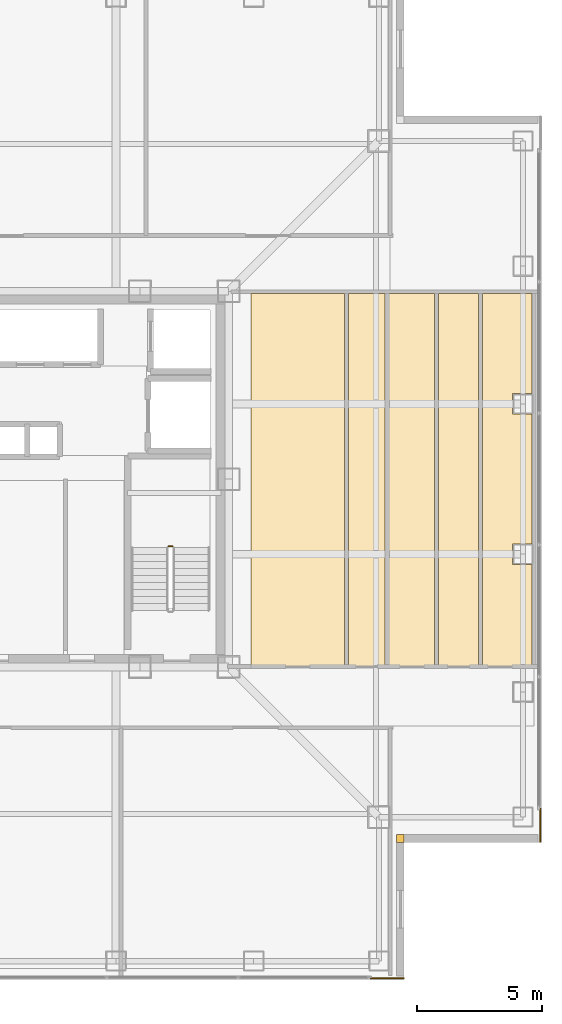
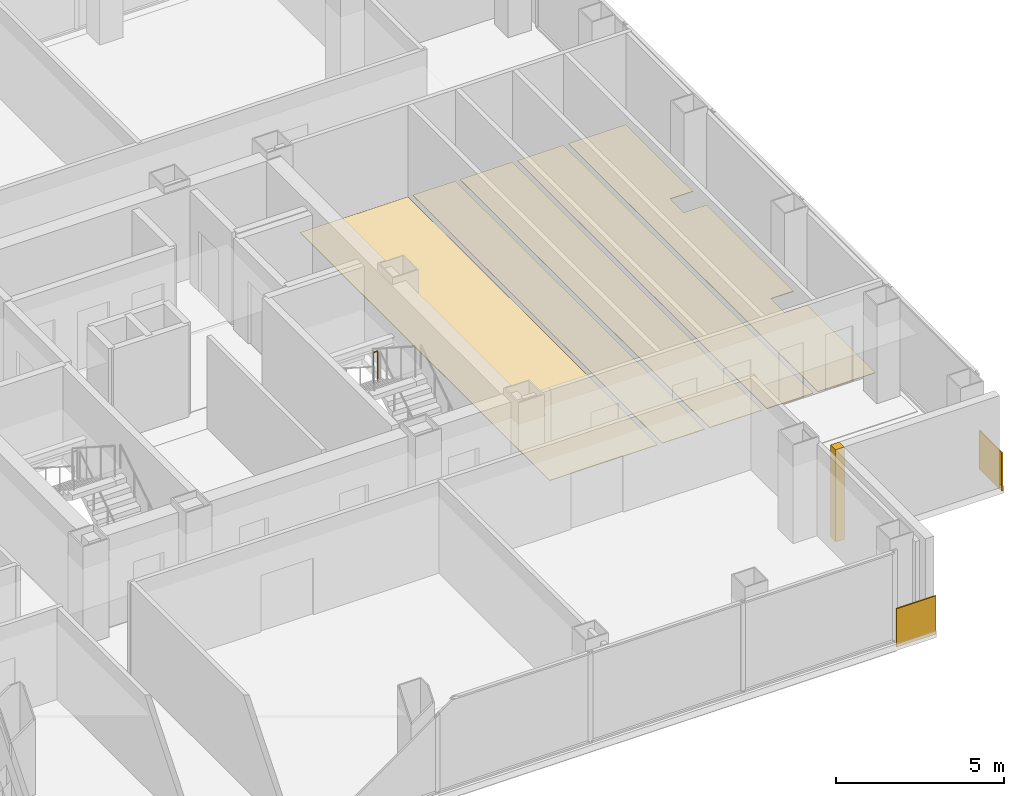
# One storey, part 17 of 18: 8 coverings, 1 railing.
"""IFC4 building model written with IfcOpenShell, lengths in metres."""

import ifcopenshell
import ifcopenshell.guid

model = None  # the IFC model being written
_history = None  # IfcOwnerHistory: only IFC2X3 demands one
_inside = {}  # id of a spatial element -> (the spatial element, [elements in it])
_under = {}  # id of a project, library or spatial element -> (it, [spatial elements below it])
_declared = {}  # id of a project -> (the project, [libraries it declares])
_typed = {}  # id of a type object -> (the type object, [elements of that type])
_made_of = {}  # id of a material, layer set ... -> (it, [elements and type objects made of it])


def new_model(schema):
    """Start an empty IFC model of exactly this schema.

    Asked for "IFC4X3", IfcOpenShell would pick the latest addendum, in which some entities
    have other attributes; the version numbers below select the first issue.
    IFC2X3 requires an IfcOwnerHistory on every rooted entity: one is made here for all.
    """
    global model, _history
    if schema == "IFC4X3":
        model = ifcopenshell.file(schema_version=(4, 3, 0, 0))
    else:
        model = ifcopenshell.file(schema=schema)
    _inside.clear()
    _under.clear()
    _declared.clear()
    _typed.clear()
    _made_of.clear()
    _history = None
    if model.schema == "IFC2X3":
        org = make("IfcOrganization", Name="unknown")
        user = make(
            "IfcPersonAndOrganization",
            ThePerson=make("IfcPerson", FamilyName="unknown"),
            TheOrganization=org,
        )
        app = make(
            "IfcApplication",
            ApplicationDeveloper=org,
            Version="unknown",
            ApplicationFullName="unknown",
            ApplicationIdentifier="unknown",
        )
        _history = make(
            "IfcOwnerHistory",
            OwningUser=user,
            OwningApplication=app,
            ChangeAction="ADDED",
            CreationDate=0,
        )
    return model


def make(cls, **values):
    """One entity of the class cls with the attributes given. An attribute that is None is left unset."""
    return model.create_entity(
        cls, **{name: value for name, value in values.items() if value is not None}
    )


def rooted(cls, **values):
    """An entity with a GlobalId (a new one), such as an element, a storey or a relation."""
    return make(cls, GlobalId=ifcopenshell.guid.new(), OwnerHistory=_history, **values)


def si_unit(unit_type, name, prefix=None):
    """IfcSIUnit, for example si_unit("LENGTHUNIT", "METRE", prefix="MILLI")."""
    return make("IfcSIUnit", UnitType=unit_type, Prefix=prefix, Name=name)


def assignment(units):
    """IfcUnitAssignment: the units of a project."""
    return None if units is None else make("IfcUnitAssignment", Units=units)


def point(xyz):
    """IfcCartesianPoint."""
    return None if xyz is None else make("IfcCartesianPoint", Coordinates=xyz)


def direction(xyz):
    """IfcDirection."""
    return None if xyz is None else make("IfcDirection", DirectionRatios=xyz)


def frame(location, z_axis=None, x_axis=None):
    """IfcAxis2Placement3D, a coordinate frame: its origin and axes. An axis left out is left unset."""
    return make(
        "IfcAxis2Placement3D",
        Location=point(location),
        Axis=direction(z_axis),
        RefDirection=direction(x_axis),
    )


def frame_2d(location, x_axis=None):
    """IfcAxis2Placement2D, a coordinate frame in the plane: its origin and x axis."""
    return make(
        "IfcAxis2Placement2D", Location=point(location), RefDirection=direction(x_axis)
    )


def origin():
    """The frame at (0, 0, 0) with its axes left unset."""
    return frame((0.0, 0.0, 0.0))


def origin_2d():
    """The frame at (0, 0) in the plane with its x axis left unset."""
    return frame_2d((0.0, 0.0))


def place(relative_to, where):
    """IfcLocalPlacement: puts the frame where relative to a parent placement (None: the world)."""
    return make(
        "IfcLocalPlacement", PlacementRelTo=relative_to, RelativePlacement=where
    )


def context(
    kind, dimensions, precision=None, world=None, true_north=None, identifier=None
):
    """IfcGeometricRepresentationContext, for example the 3D "Model" context."""
    return make(
        "IfcGeometricRepresentationContext",
        ContextIdentifier=identifier,
        ContextType=kind,
        CoordinateSpaceDimension=dimensions,
        Precision=precision,
        WorldCoordinateSystem=world,
        TrueNorth=true_north,
    )


def subcontext(parent, identifier, kind, view, scale=None):
    """IfcGeometricRepresentationSubContext, for example "Body" below "Model"."""
    return make(
        "IfcGeometricRepresentationSubContext",
        ContextIdentifier=identifier,
        ContextType=kind,
        ParentContext=parent,
        TargetScale=scale,
        TargetView=view,
    )


def project(units=None, contexts=None):
    """IfcProject with its units and contexts."""
    return rooted(
        "IfcProject",
        Name="project",
        RepresentationContexts=contexts,
        UnitsInContext=assignment(units),
    )


def spatial(cls, under=None, at=None, **own):
    """A site, building, storey or space (cls), placed at a placement, below another one or the project."""
    s = rooted(cls, ObjectPlacement=at, **own)
    if under is not None:
        _under.setdefault(under.id(), (under, []))[1].append(s)
    return s


def polyline(points):
    """IfcPolyline through the points."""
    return make("IfcPolyline", Points=[point(p) for p in points])


def profile(cls, at=None, kind="AREA", **sizes):
    """A parametric profile (cls). Its sizes go by their IFC names, for example OverallWidth=200.0."""
    return make(cls, ProfileType=kind, Position=at, **sizes)


def rectangle(**sizes):
    """IfcRectangleProfileDef."""
    return profile("IfcRectangleProfileDef", **sizes)


def circle(**sizes):
    """IfcCircleProfileDef."""
    return profile("IfcCircleProfileDef", **sizes)


def outline(outer, holes=None, kind="AREA"):
    """IfcArbitraryClosedProfileDef: a profile drawn as a closed curve; with holes, ...WithVoids."""
    if holes is None:
        return make("IfcArbitraryClosedProfileDef", ProfileType=kind, OuterCurve=outer)
    return make(
        "IfcArbitraryProfileDefWithVoids",
        ProfileType=kind,
        OuterCurve=outer,
        InnerCurves=holes,
    )


def extrude(swept, where, along, depth):
    """IfcExtrudedAreaSolid: the profile swept, set in the frame where, extruded along a direction by depth."""
    return make(
        "IfcExtrudedAreaSolid",
        SweptArea=swept,
        Position=where,
        ExtrudedDirection=direction(along),
        Depth=depth,
    )


def shape(context_of_items, identifier, shape_type, items):
    """IfcShapeRepresentation: the items that make up one representation, for example the "Body"."""
    return make(
        "IfcShapeRepresentation",
        ContextOfItems=context_of_items,
        RepresentationIdentifier=identifier,
        RepresentationType=shape_type,
        Items=items,
    )


def material(Name=None, Category=None):
    """IfcMaterial."""
    return make("IfcMaterial", Name=Name, Category=Category)


def layer(
    of_material, thickness, ventilated=None, Name=None, Category=None, Priority=None
):
    """IfcMaterialLayer: one layer of a wall or slab, of a material (None: an air gap)."""
    return make(
        "IfcMaterialLayer",
        Material=of_material,
        LayerThickness=thickness,
        IsVentilated=ventilated,
        Name=Name,
        Category=Category,
        Priority=Priority,
    )


def layer_set(layers, Name=None):
    """IfcMaterialLayerSet."""
    return make("IfcMaterialLayerSet", MaterialLayers=layers, LayerSetName=Name)


def made_of(thing, what):
    """Note that an element or type object is made of a material, layer set ...; save() writes the relation."""
    if what is not None:
        _made_of.setdefault(what.id(), (what, []))[1].append(thing)
    return thing


def type_object(cls, material=None, **own):
    """A type object (cls), such as IfcWallType, which elements share."""
    return made_of(rooted(cls, **own), material)


def element(
    cls,
    number,
    at=None,
    inside=None,
    cuts=None,
    type_object=None,
    material=None,
    context=None,
    identifier="Body",
    shape_type=None,
    held_by="IfcProductDefinitionShape",
    body=None,
    shapes=None,
    **own,
):
    """One element of the class cls, such as IfcWall. Its Tag is "e" and its number.

    at: its placement. inside: the storey or other place that contains it. cuts: it is an
    opening in that element (IfcRelVoidsElement). A single representation is given by context,
    identifier, shape_type and body (its items); several are given by shapes. held_by: the class
    of the entity that holds the representations. save() writes the other relations.
    """
    e = rooted(cls, Tag="e%d" % number, ObjectPlacement=at, **own)
    if body is not None:
        shapes = [shape(context, identifier, shape_type, body)]
    if shapes is not None:
        e.Representation = make(held_by, Representations=shapes)
    if inside is not None:
        _inside.setdefault(inside.id(), (inside, []))[1].append(e)
    if cuts is not None:
        rooted(
            "IfcRelVoidsElement", RelatingBuildingElement=cuts, RelatedOpeningElement=e
        )
    if type_object is not None:
        _typed.setdefault(type_object.id(), (type_object, []))[1].append(e)
    return made_of(e, material)


def aggregate(whole, parts):
    """IfcRelAggregates: a whole, such as a stair, and the parts it consists of."""
    return rooted("IfcRelAggregates", RelatingObject=whole, RelatedObjects=parts)


def save(model, path):
    """Write the relations noted so far, then the file.

    IfcRelAggregates (storeys below a building ...), IfcRelContainedInSpatialStructure (elements
    in a storey), IfcRelDefinesByType, IfcRelAssociatesMaterial and IfcRelDeclares: one each for
    every whole, place, type object, material and project.
    """
    for whole, parts in _under.values():
        aggregate(whole, parts)
    for where, things in _inside.values():
        rooted(
            "IfcRelContainedInSpatialStructure",
            RelatedElements=things,
            RelatingStructure=where,
        )
    for kind, things in _typed.values():
        rooted("IfcRelDefinesByType", RelatedObjects=things, RelatingType=kind)
    for what, things in _made_of.values():
        rooted("IfcRelAssociatesMaterial", RelatedObjects=things, RelatingMaterial=what)
    for by, libraries in _declared.values():
        rooted("IfcRelDeclares", RelatingContext=by, RelatedDefinitions=libraries)
    model.write(path)


model = new_model("IFC4")

# Units and contexts
model_context = context("Model", 3, precision=1e-05, world=origin(), true_north=direction((0.0, 1.0)))
body_context = subcontext(model_context, "Body", "Model", "MODEL_VIEW")
ifc_project = project(units=[si_unit("LENGTHUNIT", "METRE"), si_unit("AREAUNIT", "SQUARE_METRE"), si_unit("VOLUMEUNIT", "CUBIC_METRE"), si_unit("PLANEANGLEUNIT", "RADIAN"), si_unit("MASSUNIT", "GRAM", prefix="KILO")], contexts=[model_context])

# Site, building, storey
site_placement = place(None, origin())
site = spatial("IfcSite", under=ifc_project, at=site_placement, CompositionType="ELEMENT")
building_placement = place(site_placement, origin())
building = spatial("IfcBuilding", under=site, at=building_placement, Name="Trevonay Congress Spire", CompositionType="ELEMENT")
storey_placement = place(building_placement, frame((0.0, 0.0, 198.60009765625)))
storey = spatial("IfcBuildingStorey", under=building, at=storey_placement, Name="L51", CompositionType="ELEMENT", Elevation=198.60009765625)

# Coverings
ifc_material_1 = material(Name="Polished Granite Floor Tile", Category="masonry")
ifc_layer_1 = layer(ifc_material_1, 0.02001953125, Name="Polished Granite Floor Tile")
ifc_layer_set_1 = layer_set([ifc_layer_1], Name="Polished Granite Floor Tile")
covering_type_1 = type_object("IfcCoveringType", Name="COV-FLOOR-STONE", PredefinedType="FLOORING", material=ifc_layer_set_1)
covering_1_placement = place(storey_placement, origin())
element("IfcCovering", 1, at=covering_1_placement, inside=storey, type_object=covering_type_1, Name="L51 Club Linen and Glassware Store floor finish", PredefinedType="FLOORING", context=body_context, shape_type="SweptSolid", body=[
    extrude(outline(polyline([(8.39990234375, -7.47998046875), (12.1201171875, -7.47998046875), (12.1201171875, 7.419921875), (8.39990234375, 7.419921875), (8.39990234375, -7.47998046875)])), origin(), (0.0, 0.0, 1.0), 0.02001953125),
])
covering_2_placement = place(storey_placement, origin())
element("IfcCovering", 2, at=covering_2_placement, inside=storey, type_object=covering_type_1, Name="L51 Female Restroom WC floor finish", PredefinedType="FLOORING", context=body_context, shape_type="SweptSolid", body=[
    extrude(outline(polyline([(12.280029296875, -7.47998046875), (13.75, -7.47998046875), (13.75, 7.419921875), (12.280029296875, 7.419921875), (12.280029296875, -7.47998046875)])), origin(), (0.0, 0.0, 1.0), 0.02001953125),
])
covering_3_placement = place(storey_placement, origin())
element("IfcCovering", 3, at=covering_3_placement, inside=storey, type_object=covering_type_1, Name="L51 Floor Supplies and Copy Room floor finish", PredefinedType="FLOORING", context=body_context, shape_type="SweptSolid", body=[
    extrude(outline(polyline([(13.909912109375, -7.47998046875), (15.719970703125, -7.47998046875), (15.719970703125, 7.419921875), (13.909912109375, 7.419921875), (13.909912109375, -7.47998046875)])), origin(), (0.0, 0.0, 1.0), 0.02001953125),
])
covering_4_placement = place(storey_placement, origin())
element("IfcCovering", 4, at=covering_4_placement, inside=storey, type_object=covering_type_1, Name="L51 Male Restroom WC floor finish", PredefinedType="FLOORING", context=body_context, shape_type="SweptSolid", body=[
    extrude(outline(polyline([(15.8798828125, -7.47998046875), (17.47998046875, -7.47998046875), (17.47998046875, 7.419921875), (15.8798828125, 7.419921875), (15.8798828125, -7.47998046875)])), origin(), (0.0, 0.0, 1.0), 0.02001953125),
])
covering_5_placement = place(storey_placement, origin())
element("IfcCovering", 5, at=covering_5_placement, inside=storey, type_object=covering_type_1, Name="L51 Floor Supplies and Copy Room floor finish", PredefinedType="FLOORING", context=body_context, shape_type="SweptSolid", body=[
    extrude(outline(polyline([(19.6201171875, -7.47998046875), (17.639892578125, -7.47998046875), (17.639892578125, 7.419921875), (19.6201171875, 7.419921875), (19.6201171875, 3.409912109375), (18.840087890625, 3.409912109375), (18.840087890625, 2.590087890625), (19.6201171875, 2.590087890625), (19.6201171875, -2.590087890625), (18.840087890625, -2.590087890625), (18.840087890625, -3.409912109375), (19.6201171875, -3.409912109375), (19.6201171875, -7.47998046875)])), origin(), (0.0, 0.0, 1.0), 0.02001953125),
])
ifc_material_2 = material(Name="Pale Anodised Aluminium EN AW-6063-T6", Category="aluminium")
ifc_layer_2 = layer(ifc_material_2, 0.0400390625, Name="Pale Anodised Aluminium EN AW-6063-T6")
ifc_layer_set_2 = layer_set([ifc_layer_2], Name="Pale Anodised Aluminium EN AW-6063-T6")
covering_type_2 = type_object("IfcCoveringType", Name="COV-SPANDREL-PALE-METAL", PredefinedType="CLADDING", material=ifc_layer_set_2)
covering_6_placement = place(storey_placement, origin())
element("IfcCovering", 6, at=covering_6_placement, inside=storey, type_object=covering_type_2, Name="L51 SE re-entrant notch corner closure trim", PredefinedType="CLADDING", context=body_context, shape_type="SweptSolid", body=[
    extrude(outline(polyline([(14.199951171875, -14.5), (14.5, -14.5), (14.5, -14.199951171875), (14.199951171875, -14.199951171875), (14.199951171875, -14.5)])), origin(), (0.0, 0.0, 1.0), 3.35986328125),
])
for number, where, z_axis, x_axis, name in (
    (7, (19.93994140625, -13.14990234375, -0.150146484375), (0.0, 0.0, 1.0), (0.0, -1.0, 0.0), "L51 SE corner pier spandrel cladding 1"),
    (8, (13.14990234375, -19.93994140625, -0.150146484375), (0.0, 0.0, 1.0), (1.0, 0.0, 0.0), "L51 SE corner pier spandrel cladding 2"),
):
    element("IfcCovering", number, at=place(storey_placement, frame(where, z_axis=z_axis, x_axis=x_axis)), inside=storey, type_object=covering_type_2, Name=name, PredefinedType="CLADDING", context=body_context, shape_type="SweptSolid", body=[
        extrude(rectangle(XDim=1.35009765625, YDim=0.0400390625, at=frame_2d((0.675048828125, 0.0))), origin(), (0.0, 0.0, 1.0), 1.400146484375),
    ])

# Railing
railing_type = type_object("IfcRailingType", Name="RAL-STAIR-GUARD-110", PredefinedType="GUARDRAIL", material=ifc_material_2)
railing_placement = place(storey_placement, frame((5.25, -2.679931640625, 1.7998046875)))
element("IfcRailing", 9, at=railing_placement, inside=storey, type_object=railing_type, Name="L51 ST-2 stair guard 2", PredefinedType="GUARDRAIL", context=body_context, shape_type="SweptSolid", body=[
    extrude(circle(Radius=0.02392578125, at=origin_2d()), frame((0.0, 0.0, 1.1259765625), z_axis=(-1.0, 0.0, 0.0), x_axis=(0.0, -1.0, 0.0)), (0.0, 0.0, 1.0), 0.14990234375),
    extrude(circle(Radius=0.02099609375, at=origin_2d()), origin(), (0.0, 0.0, 1.0), 1.101806640625),
    extrude(circle(Radius=0.02099609375, at=origin_2d()), frame((-0.14990234375, 0.0, 0.0)), (0.0, 0.0, 1.0), 1.101806640625),
])

save(model, "model.ifc")
